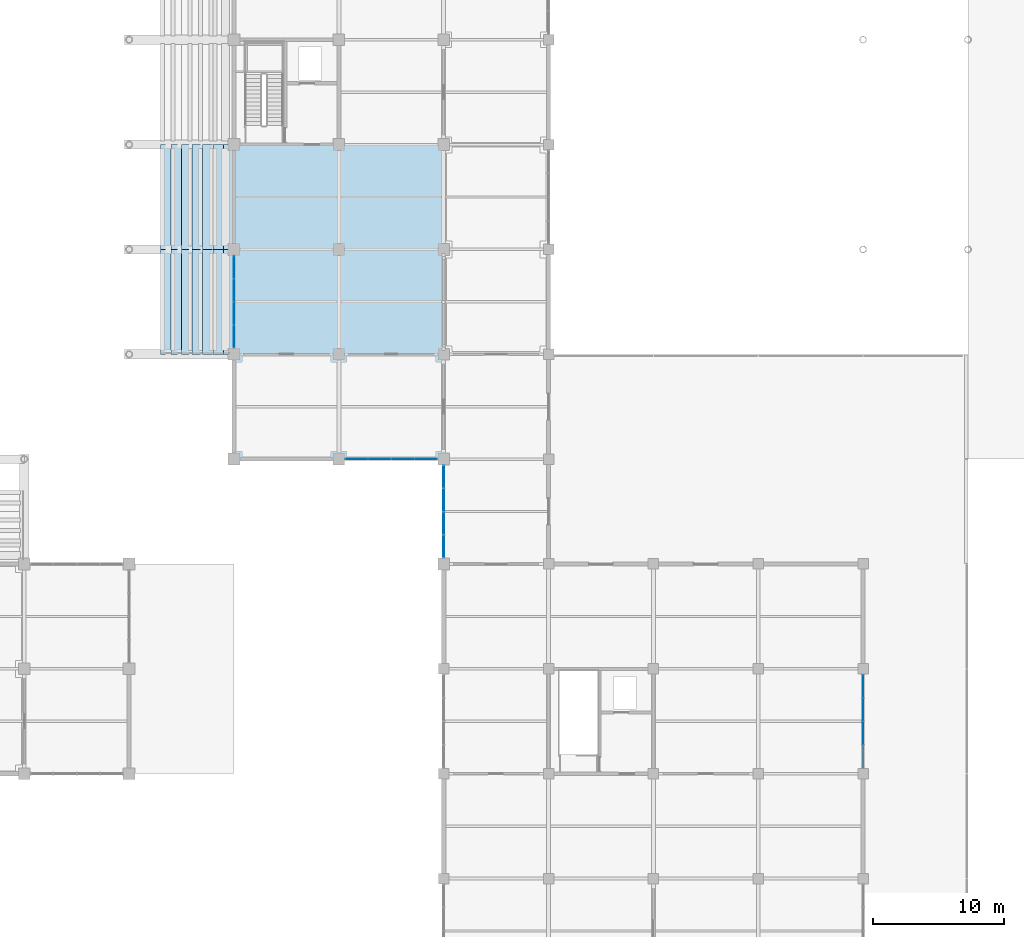
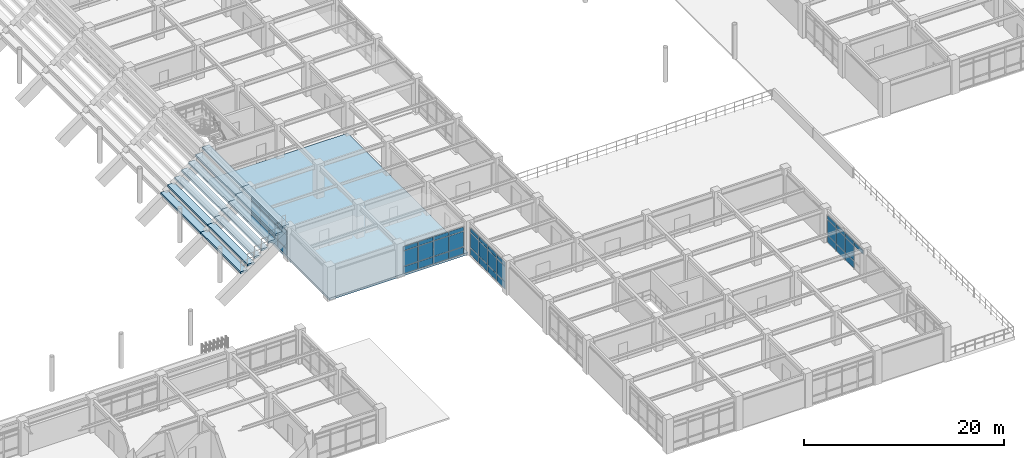
# One storey, part 73 of 118: 46 plates, 15 slabs, 4 elements without a shape of their own.
"""IFC4 building model written with IfcOpenShell, lengths in metres."""

from ifc_helpers import new_model, si_unit, direction, frame, origin, origin_2d, place, context, subcontext, project, spatial, polyline, rectangle, outline, extrude, material, layer, layer_set, type_object, element, aggregate, save


model = new_model("IFC4")

# Units and contexts
model_context = context("Model", 3, precision=1e-05, world=origin(), true_north=direction((0.0, 1.0)))
body_context = subcontext(model_context, "Body", "Model", "MODEL_VIEW")
ifc_project = project(units=[si_unit("LENGTHUNIT", "METRE"), si_unit("AREAUNIT", "SQUARE_METRE"), si_unit("VOLUMEUNIT", "CUBIC_METRE"), si_unit("PLANEANGLEUNIT", "RADIAN"), si_unit("MASSUNIT", "GRAM", prefix="KILO")], contexts=[model_context])

# Site, building, storey
site_placement = place(None, origin())
site = spatial("IfcSite", under=ifc_project, at=site_placement, CompositionType="ELEMENT")
building_placement = place(site_placement, origin())
building = spatial("IfcBuilding", under=site, at=building_placement, Name="Haebicheon Civic Stadium", CompositionType="ELEMENT")
storey_placement = place(building_placement, frame((0.0, 0.0, 14.39990234375)))
storey = spatial("IfcBuildingStorey", under=building, at=storey_placement, Name="L04", CompositionType="ELEMENT", Elevation=14.39990234375)

# Curtain wall, plates
ifc_material_1 = material(Name="Anodised aluminium and laminated glass", Category="aluminium")
ifc_layer_1 = layer(ifc_material_1, 0.179931640625, Name="Anodised aluminium and laminated glass")
ifc_layer_set_1 = layer_set([ifc_layer_1], Name="Anodised aluminium and laminated glass")
curtain_wall_type_1 = type_object("IfcCurtainWallType", Name="CW-7100x3100", PredefinedType="NOTDEFINED", material=ifc_layer_set_1)
curtain_wall_1_placement = place(storey_placement, origin())
curtain_wall_1 = element("IfcCurtainWall", 1, at=curtain_wall_1_placement, inside=storey, type_object=curtain_wall_type_1, material=ifc_layer_set_1, Name="L04 unitised curtain wall 143", PredefinedType="NOTDEFINED")
ifc_material_2 = material(Name="Double low-e acoustic laminated glass", Category="glass")
ifc_layer_2 = layer(ifc_material_2, 0.035888671875, Name="Double low-e acoustic laminated glass")
ifc_layer_set_2 = layer_set([ifc_layer_2], Name="Double low-e acoustic laminated glass")
plate_type_1 = type_object("IfcPlateType", Name="CWP-GLZ-36", PredefinedType="CURTAIN_PANEL", material=ifc_layer_set_2)
plate_1_placement = place(storey_placement, frame((144.0, 49.35498046875, 0.93505859375), z_axis=(0.0, 0.0, 1.0), x_axis=(0.0, 1.0, 0.0)))
plate_1 = element("IfcPlate", 2, at=plate_1_placement, type_object=plate_type_1, material=ifc_layer_set_2, Name="CW-L04-143 vision panel 1.2", PredefinedType="CURTAIN_PANEL", context=body_context, shape_type="SweptSolid", body=[
    extrude(rectangle(XDim=1.669921875, YDim=0.035888671875, at=origin_2d()), origin(), (0.0, 0.0, 1.0), 1.580078125),
])
plate_2_placement = place(storey_placement, frame((144.0, 51.112060546875, 0.93505859375), z_axis=(0.0, 0.0, 1.0), x_axis=(0.0, 1.0, 0.0)))
plate_2 = element("IfcPlate", 3, at=plate_2_placement, type_object=plate_type_1, material=ifc_layer_set_2, Name="CW-L04-143 vision panel 2.2", PredefinedType="CURTAIN_PANEL", context=body_context, shape_type="SweptSolid", body=[
    extrude(rectangle(XDim=1.705078125, YDim=0.035888671875, at=origin_2d()), origin(), (0.0, 0.0, 1.0), 1.580078125),
])
plate_3_placement = place(storey_placement, frame((144.0, 52.887939453125, 0.93505859375), z_axis=(0.0, 0.0, 1.0), x_axis=(0.0, 1.0, 0.0)))
plate_3 = element("IfcPlate", 4, at=plate_3_placement, type_object=plate_type_1, material=ifc_layer_set_2, Name="CW-L04-143 vision panel 3.2", PredefinedType="CURTAIN_PANEL", context=body_context, shape_type="SweptSolid", body=[
    extrude(rectangle(XDim=1.705078125, YDim=0.035888671875, at=origin_2d()), origin(), (0.0, 0.0, 1.0), 1.580078125),
])
plate_4_placement = place(storey_placement, frame((144.0, 54.64501953125, 0.93505859375), z_axis=(0.0, 0.0, 1.0), x_axis=(0.0, 1.0, 0.0)))
plate_4 = element("IfcPlate", 5, at=plate_4_placement, type_object=plate_type_1, material=ifc_layer_set_2, Name="CW-L04-143 vision panel 4.2", PredefinedType="CURTAIN_PANEL", context=body_context, shape_type="SweptSolid", body=[
    extrude(rectangle(XDim=1.669921875, YDim=0.035888671875, at=origin_2d()), origin(), (0.0, 0.0, 1.0), 1.580078125),
])

ifc_material_3 = material(Name="Anodised aluminium and laminated glass", Category="aluminium")
ifc_layer_3 = layer(ifc_material_3, 0.179931640625, Name="Anodised aluminium and laminated glass")
ifc_layer_set_3 = layer_set([ifc_layer_3], Name="Anodised aluminium and laminated glass")
curtain_wall_type_2 = type_object("IfcCurtainWallType", Name="CW-7100x3350", PredefinedType="NOTDEFINED", material=ifc_layer_set_3)
curtain_wall_2_placement = place(storey_placement, origin())
curtain_wall_2 = element("IfcCurtainWall", 6, at=curtain_wall_2_placement, inside=storey, type_object=curtain_wall_type_2, material=ifc_layer_set_3, Name="L04 unitised curtain wall 149", PredefinedType="NOTDEFINED")
plate_5_placement = place(storey_placement, frame((153.35498046875, 40.0, 0.93505859375), z_axis=(0.0, 0.0, 1.0), x_axis=(1.0, 0.0, 0.0)))
plate_5 = element("IfcPlate", 7, at=plate_5_placement, type_object=plate_type_1, material=ifc_layer_set_2, Name="CW-L04-149 vision panel 1.2", PredefinedType="CURTAIN_PANEL", context=body_context, shape_type="SweptSolid", body=[
    extrude(rectangle(XDim=1.669921875, YDim=0.035888671875, at=origin_2d()), origin(), (0.0, 0.0, 1.0), 1.830078125),
])
plate_6_placement = place(storey_placement, frame((155.112060546875, 40.0, 0.93505859375), z_axis=(0.0, 0.0, 1.0), x_axis=(1.0, 0.0, 0.0)))
plate_6 = element("IfcPlate", 8, at=plate_6_placement, type_object=plate_type_1, material=ifc_layer_set_2, Name="CW-L04-149 vision panel 2.2", PredefinedType="CURTAIN_PANEL", context=body_context, shape_type="SweptSolid", body=[
    extrude(rectangle(XDim=1.705078125, YDim=0.035888671875, at=origin_2d()), origin(), (0.0, 0.0, 1.0), 1.830078125),
])
plate_7_placement = place(storey_placement, frame((156.887939453125, 40.0, 0.93505859375), z_axis=(0.0, 0.0, 1.0), x_axis=(1.0, 0.0, 0.0)))
plate_7 = element("IfcPlate", 9, at=plate_7_placement, type_object=plate_type_1, material=ifc_layer_set_2, Name="CW-L04-149 vision panel 3.2", PredefinedType="CURTAIN_PANEL", context=body_context, shape_type="SweptSolid", body=[
    extrude(rectangle(XDim=1.705078125, YDim=0.035888671875, at=origin_2d()), origin(), (0.0, 0.0, 1.0), 1.830078125),
])
plate_8_placement = place(storey_placement, frame((158.64501953125, 40.0, 0.93505859375), z_axis=(0.0, 0.0, 1.0), x_axis=(1.0, 0.0, 0.0)))
plate_8 = element("IfcPlate", 10, at=plate_8_placement, type_object=plate_type_1, material=ifc_layer_set_2, Name="CW-L04-149 vision panel 4.2", PredefinedType="CURTAIN_PANEL", context=body_context, shape_type="SweptSolid", body=[
    extrude(rectangle(XDim=1.669921875, YDim=0.035888671875, at=origin_2d()), origin(), (0.0, 0.0, 1.0), 1.830078125),
])

curtain_wall_3_placement = place(storey_placement, origin())
curtain_wall_3 = element("IfcCurtainWall", 11, at=curtain_wall_3_placement, inside=storey, type_object=curtain_wall_type_2, material=ifc_layer_set_3, Name="L04 unitised curtain wall 153", PredefinedType="NOTDEFINED")
plate_9_placement = place(storey_placement, frame((160.0, 33.35498046875, 0.93505859375), z_axis=(0.0, 0.0, 1.0), x_axis=(0.0, 1.0, 0.0)))
plate_9 = element("IfcPlate", 12, at=plate_9_placement, type_object=plate_type_1, material=ifc_layer_set_2, Name="CW-L04-153 vision panel 1.2", PredefinedType="CURTAIN_PANEL", context=body_context, shape_type="SweptSolid", body=[
    extrude(rectangle(XDim=1.669921875, YDim=0.035888671875, at=origin_2d()), origin(), (0.0, 0.0, 1.0), 1.830078125),
])
plate_10_placement = place(storey_placement, frame((160.0, 35.112060546875, 0.93505859375), z_axis=(0.0, 0.0, 1.0), x_axis=(0.0, 1.0, 0.0)))
plate_10 = element("IfcPlate", 13, at=plate_10_placement, type_object=plate_type_1, material=ifc_layer_set_2, Name="CW-L04-153 vision panel 2.2", PredefinedType="CURTAIN_PANEL", context=body_context, shape_type="SweptSolid", body=[
    extrude(rectangle(XDim=1.705078125, YDim=0.035888671875, at=origin_2d()), origin(), (0.0, 0.0, 1.0), 1.830078125),
])
plate_11_placement = place(storey_placement, frame((160.0, 36.887939453125, 0.93505859375), z_axis=(0.0, 0.0, 1.0), x_axis=(0.0, 1.0, 0.0)))
plate_11 = element("IfcPlate", 14, at=plate_11_placement, type_object=plate_type_1, material=ifc_layer_set_2, Name="CW-L04-153 vision panel 3.2", PredefinedType="CURTAIN_PANEL", context=body_context, shape_type="SweptSolid", body=[
    extrude(rectangle(XDim=1.705078125, YDim=0.035888671875, at=origin_2d()), origin(), (0.0, 0.0, 1.0), 1.830078125),
])
plate_12_placement = place(storey_placement, frame((160.0, 38.64501953125, 0.93505859375), z_axis=(0.0, 0.0, 1.0), x_axis=(0.0, 1.0, 0.0)))
plate_12 = element("IfcPlate", 15, at=plate_12_placement, type_object=plate_type_1, material=ifc_layer_set_2, Name="CW-L04-153 vision panel 4.2", PredefinedType="CURTAIN_PANEL", context=body_context, shape_type="SweptSolid", body=[
    extrude(rectangle(XDim=1.669921875, YDim=0.035888671875, at=origin_2d()), origin(), (0.0, 0.0, 1.0), 1.830078125),
])

ifc_material_4 = material(Name="Anodised aluminium and laminated glass", Category="aluminium")
ifc_layer_4 = layer(ifc_material_4, 0.179931640625, Name="Anodised aluminium and laminated glass")
ifc_layer_set_4 = layer_set([ifc_layer_4], Name="Anodised aluminium and laminated glass")
curtain_wall_type_3 = type_object("IfcCurtainWallType", Name="CW-7200x3350", PredefinedType="NOTDEFINED", material=ifc_layer_set_4)
curtain_wall_4_placement = place(storey_placement, origin())
curtain_wall_4 = element("IfcCurtainWall", 16, at=curtain_wall_4_placement, inside=storey, type_object=curtain_wall_type_3, material=ifc_layer_set_4, Name="L04 unitised curtain wall 166", PredefinedType="NOTDEFINED")
plate_13_placement = place(storey_placement, frame((192.0, 19.10009765625, 0.93505859375), z_axis=(0.0, 0.0, 1.0), x_axis=(0.0, 1.0, 0.0)))
plate_13 = element("IfcPlate", 17, at=plate_13_placement, type_object=plate_type_1, material=ifc_layer_set_2, Name="CW-L04-166 vision panel 2.2", PredefinedType="CURTAIN_PANEL", context=body_context, shape_type="SweptSolid", body=[
    extrude(rectangle(XDim=1.72998046875, YDim=0.035888671875, at=origin_2d()), origin(), (0.0, 0.0, 1.0), 1.830078125),
])
plate_14_placement = place(storey_placement, frame((192.0, 20.89990234375, 0.93505859375), z_axis=(0.0, 0.0, 1.0), x_axis=(0.0, 1.0, 0.0)))
plate_14 = element("IfcPlate", 18, at=plate_14_placement, type_object=plate_type_1, material=ifc_layer_set_2, Name="CW-L04-166 vision panel 3.2", PredefinedType="CURTAIN_PANEL", context=body_context, shape_type="SweptSolid", body=[
    extrude(rectangle(XDim=1.72998046875, YDim=0.035888671875, at=origin_2d()), origin(), (0.0, 0.0, 1.0), 1.830078125),
])
plate_15_placement = place(storey_placement, frame((192.0, 22.681884765625, 0.93505859375), z_axis=(0.0, 0.0, 1.0), x_axis=(0.0, 1.0, 0.0)))
plate_15 = element("IfcPlate", 19, at=plate_15_placement, type_object=plate_type_1, material=ifc_layer_set_2, Name="CW-L04-166 vision panel 4.2", PredefinedType="CURTAIN_PANEL", context=body_context, shape_type="SweptSolid", body=[
    extrude(rectangle(XDim=1.695068359375, YDim=0.035888671875, at=origin_2d()), origin(), (0.0, 0.0, 1.0), 1.830078125),
])

# Plate
ifc_material_5 = material(Name="Anodised aluminium 6063-T6", Category="aluminium")
ifc_layer_5 = layer(ifc_material_5, 0.053955078125, Name="Anodised aluminium 6063-T6")
ifc_layer_set_5 = layer_set([ifc_layer_5], Name="Anodised aluminium 6063-T6")
plate_type_2 = type_object("IfcPlateType", Name="CWP-SPD-54", PredefinedType="CURTAIN_PANEL", material=ifc_layer_set_5)
plate_16_placement = place(storey_placement, frame((144.0, 49.35498046875, 0.03515625), z_axis=(0.0, 0.0, 1.0), x_axis=(0.0, 1.0, 0.0)))
plate_16 = element("IfcPlate", 20, at=plate_16_placement, type_object=plate_type_2, material=ifc_layer_set_5, Name="CW-L04-143 spandrel panel 1.1", PredefinedType="CURTAIN_PANEL", context=body_context, shape_type="SweptSolid", body=[
    extrude(rectangle(XDim=1.669921875, YDim=0.053955078125, at=origin_2d()), origin(), (0.0, 0.0, 1.0), 0.830078125),
])

plate_17_placement = place(storey_placement, frame((144.0, 49.35498046875, 2.585205078125), z_axis=(0.0, 0.0, 1.0), x_axis=(0.0, 1.0, 0.0)))
plate_17 = element("IfcPlate", 21, at=plate_17_placement, type_object=plate_type_2, material=ifc_layer_set_5, Name="CW-L04-143 spandrel panel 1.3", PredefinedType="CURTAIN_PANEL", context=body_context, shape_type="SweptSolid", body=[
    extrude(rectangle(XDim=1.669921875, YDim=0.053955078125, at=origin_2d()), origin(), (0.0, 0.0, 1.0), 0.47998046875),
])

plate_18_placement = place(storey_placement, frame((144.0, 51.112060546875, 0.03515625), z_axis=(0.0, 0.0, 1.0), x_axis=(0.0, 1.0, 0.0)))
plate_18 = element("IfcPlate", 22, at=plate_18_placement, type_object=plate_type_2, material=ifc_layer_set_5, Name="CW-L04-143 spandrel panel 2.1", PredefinedType="CURTAIN_PANEL", context=body_context, shape_type="SweptSolid", body=[
    extrude(rectangle(XDim=1.705078125, YDim=0.053955078125, at=origin_2d()), origin(), (0.0, 0.0, 1.0), 0.830078125),
])

plate_19_placement = place(storey_placement, frame((144.0, 51.112060546875, 2.585205078125), z_axis=(0.0, 0.0, 1.0), x_axis=(0.0, 1.0, 0.0)))
plate_19 = element("IfcPlate", 23, at=plate_19_placement, type_object=plate_type_2, material=ifc_layer_set_5, Name="CW-L04-143 spandrel panel 2.3", PredefinedType="CURTAIN_PANEL", context=body_context, shape_type="SweptSolid", body=[
    extrude(rectangle(XDim=1.705078125, YDim=0.053955078125, at=origin_2d()), origin(), (0.0, 0.0, 1.0), 0.47998046875),
])

plate_20_placement = place(storey_placement, frame((144.0, 52.887939453125, 0.03515625), z_axis=(0.0, 0.0, 1.0), x_axis=(0.0, 1.0, 0.0)))
plate_20 = element("IfcPlate", 24, at=plate_20_placement, type_object=plate_type_2, material=ifc_layer_set_5, Name="CW-L04-143 spandrel panel 3.1", PredefinedType="CURTAIN_PANEL", context=body_context, shape_type="SweptSolid", body=[
    extrude(rectangle(XDim=1.705078125, YDim=0.053955078125, at=origin_2d()), origin(), (0.0, 0.0, 1.0), 0.830078125),
])

plate_21_placement = place(storey_placement, frame((144.0, 52.887939453125, 2.585205078125), z_axis=(0.0, 0.0, 1.0), x_axis=(0.0, 1.0, 0.0)))
plate_21 = element("IfcPlate", 25, at=plate_21_placement, type_object=plate_type_2, material=ifc_layer_set_5, Name="CW-L04-143 spandrel panel 3.3", PredefinedType="CURTAIN_PANEL", context=body_context, shape_type="SweptSolid", body=[
    extrude(rectangle(XDim=1.705078125, YDim=0.053955078125, at=origin_2d()), origin(), (0.0, 0.0, 1.0), 0.47998046875),
])

plate_22_placement = place(storey_placement, frame((144.0, 54.64501953125, 0.03515625), z_axis=(0.0, 0.0, 1.0), x_axis=(0.0, 1.0, 0.0)))
plate_22 = element("IfcPlate", 26, at=plate_22_placement, type_object=plate_type_2, material=ifc_layer_set_5, Name="CW-L04-143 spandrel panel 4.1", PredefinedType="CURTAIN_PANEL", context=body_context, shape_type="SweptSolid", body=[
    extrude(rectangle(XDim=1.669921875, YDim=0.053955078125, at=origin_2d()), origin(), (0.0, 0.0, 1.0), 0.830078125),
])

plate_23_placement = place(storey_placement, frame((144.0, 54.64501953125, 2.585205078125), z_axis=(0.0, 0.0, 1.0), x_axis=(0.0, 1.0, 0.0)))
plate_23 = element("IfcPlate", 27, at=plate_23_placement, type_object=plate_type_2, material=ifc_layer_set_5, Name="CW-L04-143 spandrel panel 4.3", PredefinedType="CURTAIN_PANEL", context=body_context, shape_type="SweptSolid", body=[
    extrude(rectangle(XDim=1.669921875, YDim=0.053955078125, at=origin_2d()), origin(), (0.0, 0.0, 1.0), 0.47998046875),
])

aggregate(curtain_wall_1, [plate_16, plate_1, plate_17, plate_18, plate_2, plate_19, plate_20, plate_3, plate_21, plate_22, plate_4, plate_23])

plate_24_placement = place(storey_placement, frame((153.35498046875, 40.0, 0.03515625), z_axis=(0.0, 0.0, 1.0), x_axis=(1.0, 0.0, 0.0)))
plate_24 = element("IfcPlate", 28, at=plate_24_placement, type_object=plate_type_2, material=ifc_layer_set_5, Name="CW-L04-149 spandrel panel 1.1", PredefinedType="CURTAIN_PANEL", context=body_context, shape_type="SweptSolid", body=[
    extrude(rectangle(XDim=1.669921875, YDim=0.053955078125, at=origin_2d()), origin(), (0.0, 0.0, 1.0), 0.830078125),
])

plate_25_placement = place(storey_placement, frame((153.35498046875, 40.0, 2.835205078125), z_axis=(0.0, 0.0, 1.0), x_axis=(1.0, 0.0, 0.0)))
plate_25 = element("IfcPlate", 29, at=plate_25_placement, type_object=plate_type_2, material=ifc_layer_set_5, Name="CW-L04-149 spandrel panel 1.3", PredefinedType="CURTAIN_PANEL", context=body_context, shape_type="SweptSolid", body=[
    extrude(rectangle(XDim=1.669921875, YDim=0.053955078125, at=origin_2d()), origin(), (0.0, 0.0, 1.0), 0.47998046875),
])

plate_26_placement = place(storey_placement, frame((155.112060546875, 40.0, 0.03515625), z_axis=(0.0, 0.0, 1.0), x_axis=(1.0, 0.0, 0.0)))
plate_26 = element("IfcPlate", 30, at=plate_26_placement, type_object=plate_type_2, material=ifc_layer_set_5, Name="CW-L04-149 spandrel panel 2.1", PredefinedType="CURTAIN_PANEL", context=body_context, shape_type="SweptSolid", body=[
    extrude(rectangle(XDim=1.705078125, YDim=0.053955078125, at=origin_2d()), origin(), (0.0, 0.0, 1.0), 0.830078125),
])

plate_27_placement = place(storey_placement, frame((155.112060546875, 40.0, 2.835205078125), z_axis=(0.0, 0.0, 1.0), x_axis=(1.0, 0.0, 0.0)))
plate_27 = element("IfcPlate", 31, at=plate_27_placement, type_object=plate_type_2, material=ifc_layer_set_5, Name="CW-L04-149 spandrel panel 2.3", PredefinedType="CURTAIN_PANEL", context=body_context, shape_type="SweptSolid", body=[
    extrude(rectangle(XDim=1.705078125, YDim=0.053955078125, at=origin_2d()), origin(), (0.0, 0.0, 1.0), 0.47998046875),
])

plate_28_placement = place(storey_placement, frame((156.887939453125, 40.0, 0.03515625), z_axis=(0.0, 0.0, 1.0), x_axis=(1.0, 0.0, 0.0)))
plate_28 = element("IfcPlate", 32, at=plate_28_placement, type_object=plate_type_2, material=ifc_layer_set_5, Name="CW-L04-149 spandrel panel 3.1", PredefinedType="CURTAIN_PANEL", context=body_context, shape_type="SweptSolid", body=[
    extrude(rectangle(XDim=1.705078125, YDim=0.053955078125, at=origin_2d()), origin(), (0.0, 0.0, 1.0), 0.830078125),
])

plate_29_placement = place(storey_placement, frame((156.887939453125, 40.0, 2.835205078125), z_axis=(0.0, 0.0, 1.0), x_axis=(1.0, 0.0, 0.0)))
plate_29 = element("IfcPlate", 33, at=plate_29_placement, type_object=plate_type_2, material=ifc_layer_set_5, Name="CW-L04-149 spandrel panel 3.3", PredefinedType="CURTAIN_PANEL", context=body_context, shape_type="SweptSolid", body=[
    extrude(rectangle(XDim=1.705078125, YDim=0.053955078125, at=origin_2d()), origin(), (0.0, 0.0, 1.0), 0.47998046875),
])

plate_30_placement = place(storey_placement, frame((158.64501953125, 40.0, 0.03515625), z_axis=(0.0, 0.0, 1.0), x_axis=(1.0, 0.0, 0.0)))
plate_30 = element("IfcPlate", 34, at=plate_30_placement, type_object=plate_type_2, material=ifc_layer_set_5, Name="CW-L04-149 spandrel panel 4.1", PredefinedType="CURTAIN_PANEL", context=body_context, shape_type="SweptSolid", body=[
    extrude(rectangle(XDim=1.669921875, YDim=0.053955078125, at=origin_2d()), origin(), (0.0, 0.0, 1.0), 0.830078125),
])

plate_31_placement = place(storey_placement, frame((158.64501953125, 40.0, 2.835205078125), z_axis=(0.0, 0.0, 1.0), x_axis=(1.0, 0.0, 0.0)))
plate_31 = element("IfcPlate", 35, at=plate_31_placement, type_object=plate_type_2, material=ifc_layer_set_5, Name="CW-L04-149 spandrel panel 4.3", PredefinedType="CURTAIN_PANEL", context=body_context, shape_type="SweptSolid", body=[
    extrude(rectangle(XDim=1.669921875, YDim=0.053955078125, at=origin_2d()), origin(), (0.0, 0.0, 1.0), 0.47998046875),
])

aggregate(curtain_wall_2, [plate_24, plate_5, plate_25, plate_26, plate_6, plate_27, plate_28, plate_7, plate_29, plate_30, plate_8, plate_31])

plate_32_placement = place(storey_placement, frame((160.0, 33.35498046875, 0.03515625), z_axis=(0.0, 0.0, 1.0), x_axis=(0.0, 1.0, 0.0)))
plate_32 = element("IfcPlate", 36, at=plate_32_placement, type_object=plate_type_2, material=ifc_layer_set_5, Name="CW-L04-153 spandrel panel 1.1", PredefinedType="CURTAIN_PANEL", context=body_context, shape_type="SweptSolid", body=[
    extrude(rectangle(XDim=1.669921875, YDim=0.053955078125, at=origin_2d()), origin(), (0.0, 0.0, 1.0), 0.830078125),
])

plate_33_placement = place(storey_placement, frame((160.0, 33.35498046875, 2.835205078125), z_axis=(0.0, 0.0, 1.0), x_axis=(0.0, 1.0, 0.0)))
plate_33 = element("IfcPlate", 37, at=plate_33_placement, type_object=plate_type_2, material=ifc_layer_set_5, Name="CW-L04-153 spandrel panel 1.3", PredefinedType="CURTAIN_PANEL", context=body_context, shape_type="SweptSolid", body=[
    extrude(rectangle(XDim=1.669921875, YDim=0.053955078125, at=origin_2d()), origin(), (0.0, 0.0, 1.0), 0.47998046875),
])

plate_34_placement = place(storey_placement, frame((160.0, 35.112060546875, 0.03515625), z_axis=(0.0, 0.0, 1.0), x_axis=(0.0, 1.0, 0.0)))
plate_34 = element("IfcPlate", 38, at=plate_34_placement, type_object=plate_type_2, material=ifc_layer_set_5, Name="CW-L04-153 spandrel panel 2.1", PredefinedType="CURTAIN_PANEL", context=body_context, shape_type="SweptSolid", body=[
    extrude(rectangle(XDim=1.705078125, YDim=0.053955078125, at=origin_2d()), origin(), (0.0, 0.0, 1.0), 0.830078125),
])

plate_35_placement = place(storey_placement, frame((160.0, 35.112060546875, 2.835205078125), z_axis=(0.0, 0.0, 1.0), x_axis=(0.0, 1.0, 0.0)))
plate_35 = element("IfcPlate", 39, at=plate_35_placement, type_object=plate_type_2, material=ifc_layer_set_5, Name="CW-L04-153 spandrel panel 2.3", PredefinedType="CURTAIN_PANEL", context=body_context, shape_type="SweptSolid", body=[
    extrude(rectangle(XDim=1.705078125, YDim=0.053955078125, at=origin_2d()), origin(), (0.0, 0.0, 1.0), 0.47998046875),
])

plate_36_placement = place(storey_placement, frame((160.0, 36.887939453125, 0.03515625), z_axis=(0.0, 0.0, 1.0), x_axis=(0.0, 1.0, 0.0)))
plate_36 = element("IfcPlate", 40, at=plate_36_placement, type_object=plate_type_2, material=ifc_layer_set_5, Name="CW-L04-153 spandrel panel 3.1", PredefinedType="CURTAIN_PANEL", context=body_context, shape_type="SweptSolid", body=[
    extrude(rectangle(XDim=1.705078125, YDim=0.053955078125, at=origin_2d()), origin(), (0.0, 0.0, 1.0), 0.830078125),
])

plate_37_placement = place(storey_placement, frame((160.0, 36.887939453125, 2.835205078125), z_axis=(0.0, 0.0, 1.0), x_axis=(0.0, 1.0, 0.0)))
plate_37 = element("IfcPlate", 41, at=plate_37_placement, type_object=plate_type_2, material=ifc_layer_set_5, Name="CW-L04-153 spandrel panel 3.3", PredefinedType="CURTAIN_PANEL", context=body_context, shape_type="SweptSolid", body=[
    extrude(rectangle(XDim=1.705078125, YDim=0.053955078125, at=origin_2d()), origin(), (0.0, 0.0, 1.0), 0.47998046875),
])

plate_38_placement = place(storey_placement, frame((160.0, 38.64501953125, 0.03515625), z_axis=(0.0, 0.0, 1.0), x_axis=(0.0, 1.0, 0.0)))
plate_38 = element("IfcPlate", 42, at=plate_38_placement, type_object=plate_type_2, material=ifc_layer_set_5, Name="CW-L04-153 spandrel panel 4.1", PredefinedType="CURTAIN_PANEL", context=body_context, shape_type="SweptSolid", body=[
    extrude(rectangle(XDim=1.669921875, YDim=0.053955078125, at=origin_2d()), origin(), (0.0, 0.0, 1.0), 0.830078125),
])

plate_39_placement = place(storey_placement, frame((160.0, 38.64501953125, 2.835205078125), z_axis=(0.0, 0.0, 1.0), x_axis=(0.0, 1.0, 0.0)))
plate_39 = element("IfcPlate", 43, at=plate_39_placement, type_object=plate_type_2, material=ifc_layer_set_5, Name="CW-L04-153 spandrel panel 4.3", PredefinedType="CURTAIN_PANEL", context=body_context, shape_type="SweptSolid", body=[
    extrude(rectangle(XDim=1.669921875, YDim=0.053955078125, at=origin_2d()), origin(), (0.0, 0.0, 1.0), 0.47998046875),
])

aggregate(curtain_wall_3, [plate_32, plate_9, plate_33, plate_34, plate_10, plate_35, plate_36, plate_11, plate_37, plate_38, plate_12, plate_39])

plate_40_placement = place(storey_placement, frame((192.0, 17.318115234375, 2.835205078125), z_axis=(0.0, 0.0, 1.0), x_axis=(0.0, 1.0, 0.0)))
plate_40 = element("IfcPlate", 44, at=plate_40_placement, type_object=plate_type_2, material=ifc_layer_set_5, Name="CW-L04-166 spandrel panel 1.3", PredefinedType="CURTAIN_PANEL", context=body_context, shape_type="SweptSolid", body=[
    extrude(rectangle(XDim=1.695068359375, YDim=0.053955078125, at=origin_2d()), origin(), (0.0, 0.0, 1.0), 0.47998046875),
])

plate_41_placement = place(storey_placement, frame((192.0, 19.10009765625, 0.03515625), z_axis=(0.0, 0.0, 1.0), x_axis=(0.0, 1.0, 0.0)))
plate_41 = element("IfcPlate", 45, at=plate_41_placement, type_object=plate_type_2, material=ifc_layer_set_5, Name="CW-L04-166 spandrel panel 2.1", PredefinedType="CURTAIN_PANEL", context=body_context, shape_type="SweptSolid", body=[
    extrude(rectangle(XDim=1.72998046875, YDim=0.053955078125, at=origin_2d()), origin(), (0.0, 0.0, 1.0), 0.830078125),
])

plate_42_placement = place(storey_placement, frame((192.0, 19.10009765625, 2.835205078125), z_axis=(0.0, 0.0, 1.0), x_axis=(0.0, 1.0, 0.0)))
plate_42 = element("IfcPlate", 46, at=plate_42_placement, type_object=plate_type_2, material=ifc_layer_set_5, Name="CW-L04-166 spandrel panel 2.3", PredefinedType="CURTAIN_PANEL", context=body_context, shape_type="SweptSolid", body=[
    extrude(rectangle(XDim=1.72998046875, YDim=0.053955078125, at=origin_2d()), origin(), (0.0, 0.0, 1.0), 0.47998046875),
])

plate_43_placement = place(storey_placement, frame((192.0, 20.89990234375, 0.03515625), z_axis=(0.0, 0.0, 1.0), x_axis=(0.0, 1.0, 0.0)))
plate_43 = element("IfcPlate", 47, at=plate_43_placement, type_object=plate_type_2, material=ifc_layer_set_5, Name="CW-L04-166 spandrel panel 3.1", PredefinedType="CURTAIN_PANEL", context=body_context, shape_type="SweptSolid", body=[
    extrude(rectangle(XDim=1.72998046875, YDim=0.053955078125, at=origin_2d()), origin(), (0.0, 0.0, 1.0), 0.830078125),
])

plate_44_placement = place(storey_placement, frame((192.0, 20.89990234375, 2.835205078125), z_axis=(0.0, 0.0, 1.0), x_axis=(0.0, 1.0, 0.0)))
plate_44 = element("IfcPlate", 48, at=plate_44_placement, type_object=plate_type_2, material=ifc_layer_set_5, Name="CW-L04-166 spandrel panel 3.3", PredefinedType="CURTAIN_PANEL", context=body_context, shape_type="SweptSolid", body=[
    extrude(rectangle(XDim=1.72998046875, YDim=0.053955078125, at=origin_2d()), origin(), (0.0, 0.0, 1.0), 0.47998046875),
])

plate_45_placement = place(storey_placement, frame((192.0, 22.681884765625, 0.03515625), z_axis=(0.0, 0.0, 1.0), x_axis=(0.0, 1.0, 0.0)))
plate_45 = element("IfcPlate", 49, at=plate_45_placement, type_object=plate_type_2, material=ifc_layer_set_5, Name="CW-L04-166 spandrel panel 4.1", PredefinedType="CURTAIN_PANEL", context=body_context, shape_type="SweptSolid", body=[
    extrude(rectangle(XDim=1.695068359375, YDim=0.053955078125, at=origin_2d()), origin(), (0.0, 0.0, 1.0), 0.830078125),
])

plate_46_placement = place(storey_placement, frame((192.0, 22.681884765625, 2.835205078125), z_axis=(0.0, 0.0, 1.0), x_axis=(0.0, 1.0, 0.0)))
plate_46 = element("IfcPlate", 50, at=plate_46_placement, type_object=plate_type_2, material=ifc_layer_set_5, Name="CW-L04-166 spandrel panel 4.3", PredefinedType="CURTAIN_PANEL", context=body_context, shape_type="SweptSolid", body=[
    extrude(rectangle(XDim=1.695068359375, YDim=0.053955078125, at=origin_2d()), origin(), (0.0, 0.0, 1.0), 0.47998046875),
])

aggregate(curtain_wall_4, [plate_40, plate_41, plate_13, plate_42, plate_43, plate_14, plate_44, plate_45, plate_15, plate_46])

# Slabs
ifc_material_6 = material(Name="Concrete C40/50", Category="concrete")
ifc_layer_6 = layer(ifc_material_6, 0.260009765625, Name="Concrete C40/50")
ifc_layer_set_6 = layer_set([ifc_layer_6], Name="Concrete C40/50")
slab_type_1 = type_object("IfcSlabType", Name="SLB-FLR-260", PredefinedType="FLOOR", material=ifc_layer_set_6)
slab_1_placement = place(storey_placement, frame((0.0, 0.0, -0.260009765625)))
element("IfcSlab", 51, at=slab_1_placement, inside=storey, type_object=slab_type_1, material=ifc_layer_set_6, Name="L04 V2 structural slab 8.1", PredefinedType="FLOOR", context=body_context, shape_type="SweptSolid", body=[
    extrude(outline(polyline([(144.0, 48.0), (144.0, 56.0), (144.0, 64.0), (152.0, 64.0), (160.0, 64.0), (160.0, 56.0), (160.0, 48.0), (160.0, 40.0), (152.0, 40.0), (144.0, 40.0), (144.0, 48.0)])), origin(), (0.0, 0.0, 1.0), 0.260009765625),
])
ifc_material_7 = material(Name="Precast concrete C40/50", Category="concrete")
ifc_layer_7 = layer(ifc_material_7, 0.239990234375, Name="Precast concrete C40/50")
ifc_layer_set_7 = layer_set([ifc_layer_7], Name="Precast concrete C40/50")
slab_type_2 = type_object("IfcSlabType", Name="SLB-TIER-240", PredefinedType="USERDEFINED", material=ifc_layer_set_7)
slab_2_placement = place(storey_placement, frame((0.0, 0.0, 0.093017578125)))
element("IfcSlab", 52, at=slab_2_placement, inside=storey, type_object=slab_type_2, material=ifc_layer_set_7, Name="TIER-E-U precast seating tier bay 1 row-band 4", ObjectType="SEATING TIER", PredefinedType="USERDEFINED", context=body_context, shape_type="SweptSolid", body=[
    extrude(outline(polyline([(138.39990234375, 48.0), (139.199951171875, 48.0), (139.199951171875, 56.0), (138.39990234375, 56.0), (138.39990234375, 48.0)])), origin(), (0.0, 0.0, 1.0), 0.239990234375),
])
slab_3_placement = place(storey_placement, frame((0.0, 0.0, 0.738037109375)))
element("IfcSlab", 53, at=slab_3_placement, inside=storey, type_object=slab_type_2, material=ifc_layer_set_7, Name="TIER-E-U precast seating tier bay 1 row-band 5", ObjectType="SEATING TIER", PredefinedType="USERDEFINED", context=body_context, shape_type="SweptSolid", body=[
    extrude(outline(polyline([(139.199951171875, 48.0), (140.0, 48.0), (140.0, 56.0), (139.199951171875, 56.0), (139.199951171875, 48.0)])), origin(), (0.0, 0.0, 1.0), 0.239990234375),
])
slab_4_placement = place(storey_placement, frame((0.0, 0.0, 1.382080078125)))
element("IfcSlab", 54, at=slab_4_placement, inside=storey, type_object=slab_type_2, material=ifc_layer_set_7, Name="TIER-E-U precast seating tier bay 1 row-band 6", ObjectType="SEATING TIER", PredefinedType="USERDEFINED", context=body_context, shape_type="SweptSolid", body=[
    extrude(outline(polyline([(140.0, 48.0), (140.800048828125, 48.0), (140.800048828125, 56.0), (140.0, 56.0), (140.0, 48.0)])), origin(), (0.0, 0.0, 1.0), 0.239990234375),
])
slab_5_placement = place(storey_placement, frame((0.0, 0.0, 2.027099609375)))
element("IfcSlab", 55, at=slab_5_placement, inside=storey, type_object=slab_type_2, material=ifc_layer_set_7, Name="TIER-E-U precast seating tier bay 1 row-band 7", ObjectType="SEATING TIER", PredefinedType="USERDEFINED", context=body_context, shape_type="SweptSolid", body=[
    extrude(outline(polyline([(140.800048828125, 48.0), (141.60009765625, 48.0), (141.60009765625, 56.0), (140.800048828125, 56.0), (140.800048828125, 48.0)])), origin(), (0.0, 0.0, 1.0), 0.239990234375),
])
slab_6_placement = place(storey_placement, frame((0.0, 0.0, 2.671142578125)))
element("IfcSlab", 56, at=slab_6_placement, inside=storey, type_object=slab_type_2, material=ifc_layer_set_7, Name="TIER-E-U precast seating tier bay 1 row-band 8", ObjectType="SEATING TIER", PredefinedType="USERDEFINED", context=body_context, shape_type="SweptSolid", body=[
    extrude(outline(polyline([(141.60009765625, 48.0), (142.39990234375, 48.0), (142.39990234375, 56.0), (141.60009765625, 56.0), (141.60009765625, 48.0)])), origin(), (0.0, 0.0, 1.0), 0.239990234375),
])
slab_7_placement = place(storey_placement, frame((0.0, 0.0, 3.316162109375)))
element("IfcSlab", 57, at=slab_7_placement, inside=storey, type_object=slab_type_2, material=ifc_layer_set_7, Name="TIER-E-U precast seating tier bay 1 row-band 9", ObjectType="SEATING TIER", PredefinedType="USERDEFINED", context=body_context, shape_type="SweptSolid", body=[
    extrude(outline(polyline([(142.39990234375, 48.0), (143.199951171875, 48.0), (143.199951171875, 56.0), (142.39990234375, 56.0), (142.39990234375, 48.0)])), origin(), (0.0, 0.0, 1.0), 0.239990234375),
])
slab_8_placement = place(storey_placement, frame((0.0, 0.0, 3.960205078125)))
element("IfcSlab", 58, at=slab_8_placement, inside=storey, type_object=slab_type_2, material=ifc_layer_set_7, Name="TIER-E-U precast seating tier bay 1 row-band 10", ObjectType="SEATING TIER", PredefinedType="USERDEFINED", context=body_context, shape_type="SweptSolid", body=[
    extrude(outline(polyline([(143.199951171875, 48.0), (144.0, 48.0), (144.0, 56.0), (143.199951171875, 56.0), (143.199951171875, 48.0)])), origin(), (0.0, 0.0, 1.0), 0.239990234375),
])
slab_9_placement = place(storey_placement, frame((0.0, 0.0, 0.093017578125)))
element("IfcSlab", 59, at=slab_9_placement, inside=storey, type_object=slab_type_2, material=ifc_layer_set_7, Name="TIER-E-U precast seating tier bay 2 row-band 4", ObjectType="SEATING TIER", PredefinedType="USERDEFINED", context=body_context, shape_type="SweptSolid", body=[
    extrude(outline(polyline([(138.39990234375, 56.0), (139.199951171875, 56.0), (139.199951171875, 64.0), (138.39990234375, 64.0), (138.39990234375, 56.0)])), origin(), (0.0, 0.0, 1.0), 0.239990234375),
])
slab_10_placement = place(storey_placement, frame((0.0, 0.0, 0.738037109375)))
element("IfcSlab", 60, at=slab_10_placement, inside=storey, type_object=slab_type_2, material=ifc_layer_set_7, Name="TIER-E-U precast seating tier bay 2 row-band 5", ObjectType="SEATING TIER", PredefinedType="USERDEFINED", context=body_context, shape_type="SweptSolid", body=[
    extrude(outline(polyline([(139.199951171875, 56.0), (140.0, 56.0), (140.0, 64.0), (139.199951171875, 64.0), (139.199951171875, 56.0)])), origin(), (0.0, 0.0, 1.0), 0.239990234375),
])
slab_11_placement = place(storey_placement, frame((0.0, 0.0, 1.382080078125)))
element("IfcSlab", 61, at=slab_11_placement, inside=storey, type_object=slab_type_2, material=ifc_layer_set_7, Name="TIER-E-U precast seating tier bay 2 row-band 6", ObjectType="SEATING TIER", PredefinedType="USERDEFINED", context=body_context, shape_type="SweptSolid", body=[
    extrude(outline(polyline([(140.0, 56.0), (140.800048828125, 56.0), (140.800048828125, 64.0), (140.0, 64.0), (140.0, 56.0)])), origin(), (0.0, 0.0, 1.0), 0.239990234375),
])
slab_12_placement = place(storey_placement, frame((0.0, 0.0, 2.027099609375)))
element("IfcSlab", 62, at=slab_12_placement, inside=storey, type_object=slab_type_2, material=ifc_layer_set_7, Name="TIER-E-U precast seating tier bay 2 row-band 7", ObjectType="SEATING TIER", PredefinedType="USERDEFINED", context=body_context, shape_type="SweptSolid", body=[
    extrude(outline(polyline([(140.800048828125, 56.0), (141.60009765625, 56.0), (141.60009765625, 64.0), (140.800048828125, 64.0), (140.800048828125, 56.0)])), origin(), (0.0, 0.0, 1.0), 0.239990234375),
])
slab_13_placement = place(storey_placement, frame((0.0, 0.0, 2.671142578125)))
element("IfcSlab", 63, at=slab_13_placement, inside=storey, type_object=slab_type_2, material=ifc_layer_set_7, Name="TIER-E-U precast seating tier bay 2 row-band 8", ObjectType="SEATING TIER", PredefinedType="USERDEFINED", context=body_context, shape_type="SweptSolid", body=[
    extrude(outline(polyline([(141.60009765625, 56.0), (142.39990234375, 56.0), (142.39990234375, 64.0), (141.60009765625, 64.0), (141.60009765625, 56.0)])), origin(), (0.0, 0.0, 1.0), 0.239990234375),
])
slab_14_placement = place(storey_placement, frame((0.0, 0.0, 3.316162109375)))
element("IfcSlab", 64, at=slab_14_placement, inside=storey, type_object=slab_type_2, material=ifc_layer_set_7, Name="TIER-E-U precast seating tier bay 2 row-band 9", ObjectType="SEATING TIER", PredefinedType="USERDEFINED", context=body_context, shape_type="SweptSolid", body=[
    extrude(outline(polyline([(142.39990234375, 56.0), (143.199951171875, 56.0), (143.199951171875, 64.0), (142.39990234375, 64.0), (142.39990234375, 56.0)])), origin(), (0.0, 0.0, 1.0), 0.239990234375),
])
slab_15_placement = place(storey_placement, frame((0.0, 0.0, 3.960205078125)))
element("IfcSlab", 65, at=slab_15_placement, inside=storey, type_object=slab_type_2, material=ifc_layer_set_7, Name="TIER-E-U precast seating tier bay 2 row-band 10", ObjectType="SEATING TIER", PredefinedType="USERDEFINED", context=body_context, shape_type="SweptSolid", body=[
    extrude(outline(polyline([(143.199951171875, 56.0), (144.0, 56.0), (144.0, 64.0), (143.199951171875, 64.0), (143.199951171875, 56.0)])), origin(), (0.0, 0.0, 1.0), 0.239990234375),
])

save(model, "model.ifc")
